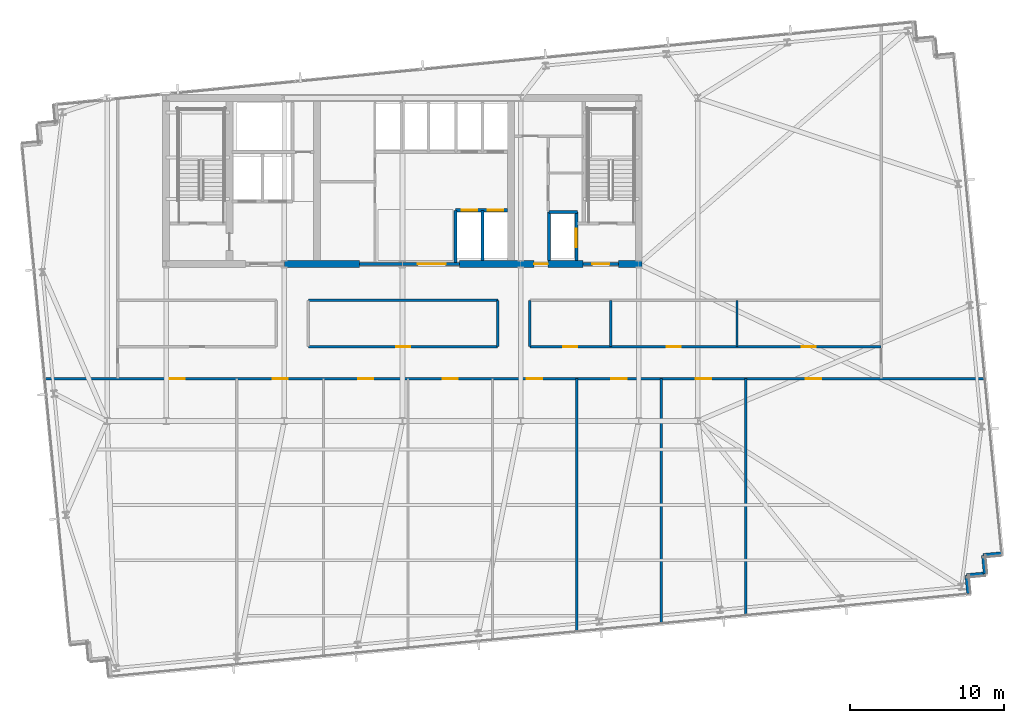
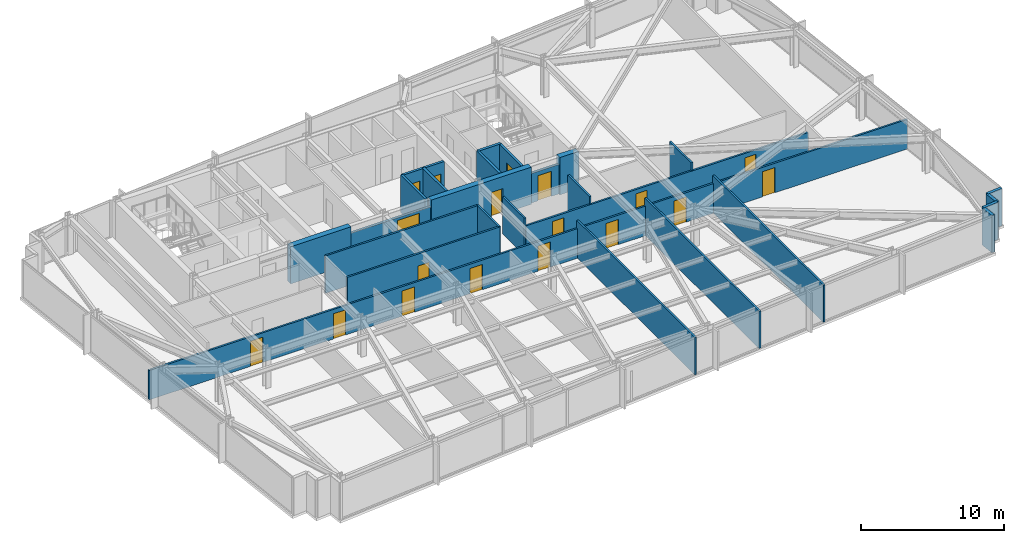
# One storey, part 25 of 32: 26 walls, 18 doors, 18 openings.
"""IFC4 building model written with IfcOpenShell, lengths in metres."""

from ifc_helpers import new_model, si_unit, direction, frame, frame_2d, origin, place, context, subcontext, project, spatial, rectangle, extrude, material, layer, layer_set, type_object, element, fill, save


model = new_model("IFC4")

# Units and contexts
model_context = context("Model", 3, precision=1e-05, world=origin(), true_north=direction((0.0, 1.0)))
body_context = subcontext(model_context, "Body", "Model", "MODEL_VIEW")
ifc_project = project(units=[si_unit("LENGTHUNIT", "METRE"), si_unit("AREAUNIT", "SQUARE_METRE"), si_unit("VOLUMEUNIT", "CUBIC_METRE"), si_unit("PLANEANGLEUNIT", "RADIAN"), si_unit("MASSUNIT", "GRAM", prefix="KILO")], contexts=[model_context])

# Site, building, storey
site_placement = place(None, origin())
site = spatial("IfcSite", under=ifc_project, at=site_placement, CompositionType="ELEMENT")
building_placement = place(site_placement, origin())
building = spatial("IfcBuilding", under=site, at=building_placement, Name="Yelkora Congress Tower", CompositionType="ELEMENT")
storey_placement = place(building_placement, frame((0.0, 0.0, 130.5)))
storey = spatial("IfcBuildingStorey", under=building, at=storey_placement, Name="L35", CompositionType="ELEMENT", Elevation=130.5)

# Wall
ifc_material_1 = material(Name="Concrete C60/75", Category="concrete")
ifc_layer_1 = layer(ifc_material_1, 0.449951171875)
ifc_layer_set_1 = layer_set([ifc_layer_1], Name="Concrete C60/75")
wall_type_1 = type_object("IfcWallType", Name="WALL-CORE-INT-450", PredefinedType="SHEAR", material=ifc_layer_set_1)
wall_1_placement = place(storey_placement, frame((30.719970703125, 35.39990234375, 0.0), z_axis=(0.0, 0.0, 1.0), x_axis=(1.0, 0.0, 0.0)))
element("IfcWall", 1, at=wall_1_placement, inside=storey, type_object=wall_type_1, Name="L35 Rear Core South-Center Shear Pier", PredefinedType="SHEAR", context=body_context, shape_type="SweptSolid", body=[
    extrude(rectangle(XDim=4.880126953125, YDim=0.449951171875, at=frame_2d((2.43994140625, 0.0))), origin(), (0.0, 0.0, 1.0), 3.179931640625),
])

# Wall, opening, door
wall_2_placement = place(storey_placement, frame((42.10009765625, 35.39990234375, 0.0), z_axis=(0.0, 0.0, 1.0), x_axis=(1.0, 0.0, 0.0)))
wall_2 = element("IfcWall", 2, at=wall_2_placement, inside=storey, type_object=wall_type_1, Name="L35 Rear Core South-East Shear Wall A", PredefinedType="SHEAR", context=body_context, shape_type="SweptSolid", body=[
    extrude(rectangle(XDim=8.0498046875, YDim=0.449951171875, at=frame_2d((4.02490234375, 0.0))), origin(), (0.0, 0.0, 1.0), 3.179931640625),
])
opening_1_placement = place(wall_2_placement, frame((4.85009765625, 0.0, 0.0)))
opening_1 = element("IfcOpeningElement", 3, at=opening_1_placement, cuts=wall_2, Name="Opening DR-090F6", PredefinedType="OPENING", context=body_context, shape_type="SweptSolid", body=[
    extrude(rectangle(XDim=0.89990234375, YDim=2.14990234375, at=frame_2d((0.449951171875, 1.074951171875))), frame((0.0, 0.23486328125, 0.0), z_axis=(0.0, -1.0, 0.0), x_axis=(1.0, 0.0, 0.0)), (0.0, 0.0, 1.0), 0.469970703125),
])
ifc_material_2 = material(Name="Painted steel riser fire door leaf", Category="steel")
door_type_1 = type_object("IfcDoorType", Name="DOOR-FD60-900", OperationType="NOTDEFINED", PredefinedType="DOOR", material=ifc_material_2)
door_1_placement = place(opening_1_placement, origin())
door_1 = element("IfcDoor", 4, at=door_1_placement, inside=storey, type_object=door_type_1, Name="L35 Core Washroom Lobby Door", OperationType="SINGLE_SWING_RIGHT", OverallHeight=2.14990234375, OverallWidth=0.89990234375, PredefinedType="DOOR", context=body_context, shape_type="SweptSolid", body=[
    extrude(rectangle(XDim=0.89990234375, YDim=2.14990234375, at=frame_2d((0.449951171875, 1.074951171875))), frame((0.0, 0.02490234375, 0.0), z_axis=(0.0, -1.0, 0.0), x_axis=(1.0, 0.0, 0.0)), (0.0, 0.0, 1.0), 0.050048828125),
])
fill(opening_1, door_1)

# Walls
wall_3_placement = place(storey_placement, frame((52.449951171875, 35.39990234375, 0.0), z_axis=(0.0, 0.0, 1.0), x_axis=(1.0, 0.0, 0.0)))
element("IfcWall", 5, at=wall_3_placement, inside=storey, type_object=wall_type_1, Name="L35 Rear Core South-East Shear Wall B", PredefinedType="SHEAR", context=body_context, shape_type="SweptSolid", body=[
    extrude(rectangle(XDim=1.53515625, YDim=0.449951171875, at=frame_2d((0.767578125, 0.0))), origin(), (0.0, 0.0, 1.0), 3.179931640625),
])
ifc_material_3 = material(Name="Concrete C40/50", Category="concrete")
ifc_layer_2 = layer(ifc_material_3, 0.239990234375)
ifc_layer_set_2 = layer_set([ifc_layer_2], Name="Concrete C40/50")
wall_type_2 = type_object("IfcWallType", Name="WALL-EXT-LIMESTONE-240", PredefinedType="SOLIDWALL", material=ifc_layer_set_2)
wall_4_placement = place(storey_placement, frame((77.34765625, 16.585693359375, 0.0), z_axis=(0.0, 0.0, 1.0), x_axis=(-0.995397091755, -0.095836473879, 0.0)))
element("IfcWall", 6, at=wall_4_placement, inside=storey, type_object=wall_type_2, Name="L35 Serrated Corner Limestone Pier 16", PredefinedType="SOLIDWALL", context=body_context, shape_type="SweptSolid", body=[
    extrude(rectangle(XDim=1.199951171875, YDim=0.239990234375, at=frame_2d((0.60009765625, 0.0))), origin(), (0.0, 0.0, 1.0), 3.179931640625),
])
for number, where, z_axis, x_axis, name in (
    (7, (76.1533203125, 16.470703125, 0.0), (0.0, 0.0, 1.0), (0.095817067274, -0.995398960025, 0.0), "L35 Serrated Corner Limestone Pier 17"),
    (8, (76.268310546875, 15.276123046875, 0.0), (0.0, 0.0, 1.0), (-0.995398960025, -0.095817067274, 0.0), "L35 Serrated Corner Limestone Pier 18"),
):
    element("IfcWall", number, at=place(storey_placement, frame(where, z_axis=z_axis, x_axis=x_axis)), inside=storey, type_object=wall_type_2, Name=name, PredefinedType="SOLIDWALL", context=body_context, shape_type="SweptSolid", body=[
        extrude(rectangle(XDim=1.2001953125, YDim=0.239990234375, at=frame_2d((0.60009765625, 0.0))), origin(), (0.0, 0.0, 1.0), 3.179931640625),
    ])
wall_5_placement = place(storey_placement, frame((75.07373046875, 15.1611328125, 0.0), z_axis=(0.0, 0.0, 1.0), x_axis=(0.095836473879, -0.995397091755, 0.0)))
element("IfcWall", 9, at=wall_5_placement, inside=storey, type_object=wall_type_2, Name="L35 Serrated Corner Limestone Pier 19", PredefinedType="SOLIDWALL", context=body_context, shape_type="SweptSolid", body=[
    extrude(rectangle(XDim=1.199951171875, YDim=0.239990234375, at=frame_2d((0.60009765625, 0.0))), origin(), (0.0, 0.0, 1.0), 3.179931640625),
])
ifc_material_4 = material(Name="Acoustic metal-stud gypsum partition", Category="gypsum")
ifc_layer_3 = layer(ifc_material_4, 0.14990234375)
ifc_layer_set_3 = layer_set([ifc_layer_3], Name="Acoustic metal-stud gypsum partition")
wall_type_3 = type_object("IfcWallType", Name="WALL-INT-150-NR", PredefinedType="PARTITIONING", material=ifc_layer_set_3)
wall_6_placement = place(storey_placement, frame((49.73193359375, 11.455322265625, 0.0), z_axis=(0.0, 0.0, 1.0), x_axis=(0.0, 1.0, 0.0)))
element("IfcWall", 10, at=wall_6_placement, inside=storey, type_object=wall_type_3, Name="L35 Partition Wall 31", PredefinedType="PARTITIONING", context=body_context, shape_type="SweptSolid", body=[
    extrude(rectangle(XDim=16.5146484375, YDim=0.14990234375, at=frame_2d((8.25732421875, 0.0))), origin(), (0.0, 0.0, 1.0), 3.179931640625),
])
wall_7_placement = place(storey_placement, frame((55.218994140625, 11.983642578125, 0.0), z_axis=(0.0, 0.0, 1.0), x_axis=(0.0, 1.0, 0.0)))
element("IfcWall", 11, at=wall_7_placement, inside=storey, type_object=wall_type_3, Name="L35 Partition Wall 32", PredefinedType="PARTITIONING", context=body_context, shape_type="SweptSolid", body=[
    extrude(rectangle(XDim=15.986328125, YDim=0.14990234375, at=frame_2d((7.9931640625, 0.0))), origin(), (0.0, 0.0, 1.0), 3.179931640625),
])
wall_8_placement = place(storey_placement, frame((60.7060546875, 12.511962890625, 0.0), z_axis=(0.0, 0.0, 1.0), x_axis=(0.0, 1.0, 0.0)))
element("IfcWall", 12, at=wall_8_placement, inside=storey, type_object=wall_type_3, Name="L35 Partition Wall 33", PredefinedType="PARTITIONING", context=body_context, shape_type="SweptSolid", body=[
    extrude(rectangle(XDim=15.4580078125, YDim=0.14990234375, at=frame_2d((7.72900390625, 0.0))), origin(), (0.0, 0.0, 1.0), 3.179931640625),
])

# Wall, openings, doors
wall_9_placement = place(storey_placement, frame((15.091796875, 27.949951171875, 0.0), z_axis=(0.0, 0.0, 1.0), x_axis=(1.0, 0.0, 0.0)))
wall_9 = element("IfcWall", 13, at=wall_9_placement, inside=storey, type_object=wall_type_3, Name="L35 South Spine Wall", PredefinedType="PARTITIONING", context=body_context, shape_type="SweptSolid", body=[
    extrude(rectangle(XDim=61.221923828125, YDim=0.14990234375, at=frame_2d((30.61083984375, 0.0))), origin(), (0.0, 0.0, 1.0), 2.52490234375),
])
opening_2_placement = place(wall_9_placement, frame((8.171630859375, 0.0, 0.0)))
opening_2 = element("IfcOpeningElement", 14, at=opening_2_placement, cuts=wall_9, Name="Opening DR-100N", PredefinedType="OPENING", context=body_context, shape_type="SweptSolid", body=[
    extrude(rectangle(XDim=1.0, YDim=2.14990234375, at=frame_2d((0.5, 1.074951171875))), frame((0.0, 0.0849609375, 0.0), z_axis=(0.0, -1.0, 0.0), x_axis=(1.0, 0.0, 0.0)), (0.0, 0.0, 1.0), 0.169921875),
])
opening_3_placement = place(wall_9_placement, frame((14.861572265625, 0.0, 0.0)))
opening_3 = element("IfcOpeningElement", 15, at=opening_3_placement, cuts=wall_9, Name="Opening DR-100N", PredefinedType="OPENING", context=body_context, shape_type="SweptSolid", body=[
    extrude(rectangle(XDim=1.0, YDim=2.14990234375, at=frame_2d((0.5, 1.074951171875))), frame((0.0, 0.0849609375, 0.0), z_axis=(0.0, -1.0, 0.0), x_axis=(1.0, 0.0, 0.0)), (0.0, 0.0, 1.0), 0.169921875),
])
opening_4_placement = place(wall_9_placement, frame((20.423583984375, 0.0, 0.0)))
opening_4 = element("IfcOpeningElement", 16, at=opening_4_placement, cuts=wall_9, Name="Opening DR-100N", PredefinedType="OPENING", context=body_context, shape_type="SweptSolid", body=[
    extrude(rectangle(XDim=1.0, YDim=2.14990234375, at=frame_2d((0.5, 1.074951171875))), frame((0.0, 0.0849609375, 0.0), z_axis=(0.0, -1.0, 0.0), x_axis=(1.0, 0.0, 0.0)), (0.0, 0.0, 1.0), 0.169921875),
])
opening_5_placement = place(wall_9_placement, frame((25.91064453125, 0.0, 0.0)))
opening_5 = element("IfcOpeningElement", 17, at=opening_5_placement, cuts=wall_9, Name="Opening DR-100N", PredefinedType="OPENING", context=body_context, shape_type="SweptSolid", body=[
    extrude(rectangle(XDim=1.0, YDim=2.14990234375, at=frame_2d((0.5, 1.074951171875))), frame((0.0, 0.0849609375, 0.0), z_axis=(0.0, -1.0, 0.0), x_axis=(1.0, 0.0, 0.0)), (0.0, 0.0, 1.0), 0.169921875),
])
opening_6_placement = place(wall_9_placement, frame((31.397216796875, 0.0, 0.0)))
opening_6 = element("IfcOpeningElement", 18, at=opening_6_placement, cuts=wall_9, Name="Opening DR-100N", PredefinedType="OPENING", context=body_context, shape_type="SweptSolid", body=[
    extrude(rectangle(XDim=1.0, YDim=2.14990234375, at=frame_2d((0.5, 1.074951171875))), frame((0.0, 0.0849609375, 0.0), z_axis=(0.0, -1.0, 0.0), x_axis=(1.0, 0.0, 0.0)), (0.0, 0.0, 1.0), 0.169921875),
])
opening_7_placement = place(wall_9_placement, frame((36.883544921875, 0.0, 0.0)))
opening_7 = element("IfcOpeningElement", 19, at=opening_7_placement, cuts=wall_9, Name="Opening DR-100N", PredefinedType="OPENING", context=body_context, shape_type="SweptSolid", body=[
    extrude(rectangle(XDim=1.0, YDim=2.14990234375, at=frame_2d((0.5, 1.074951171875))), frame((0.0, 0.0849609375, 0.0), z_axis=(0.0, -1.0, 0.0), x_axis=(1.0, 0.0, 0.0)), (0.0, 0.0, 1.0), 0.169921875),
])
opening_8_placement = place(wall_9_placement, frame((42.37060546875, 0.0, 0.0)))
opening_8 = element("IfcOpeningElement", 20, at=opening_8_placement, cuts=wall_9, Name="Opening DR-100N", PredefinedType="OPENING", context=body_context, shape_type="SweptSolid", body=[
    extrude(rectangle(XDim=1.0, YDim=2.14990234375, at=frame_2d((0.5, 1.074951171875))), frame((0.0, 0.0849609375, 0.0), z_axis=(0.0, -1.0, 0.0), x_axis=(1.0, 0.0, 0.0)), (0.0, 0.0, 1.0), 0.169921875),
])
opening_9_placement = place(wall_9_placement, frame((49.51806640625, 0.0, 0.0)))
opening_9 = element("IfcOpeningElement", 21, at=opening_9_placement, cuts=wall_9, Name="Opening DR-100N", PredefinedType="OPENING", context=body_context, shape_type="SweptSolid", body=[
    extrude(rectangle(XDim=1.0, YDim=2.14990234375, at=frame_2d((0.5, 1.074951171875))), frame((0.0, 0.0849609375, 0.0), z_axis=(0.0, -1.0, 0.0), x_axis=(1.0, 0.0, 0.0)), (0.0, 0.0, 1.0), 0.169921875),
])
ifc_material_5 = material(Name="Solid-core Anatolian oak veneer door", Category="wood")
door_type_2 = type_object("IfcDoorType", Name="DOOR-INT-1000", OperationType="NOTDEFINED", PredefinedType="DOOR", material=ifc_material_5)
door_2_placement = place(opening_2_placement, origin())
door_2 = element("IfcDoor", 22, at=door_2_placement, inside=storey, type_object=door_type_2, Name="L35 Living & Reading Lounge Door", OperationType="SINGLE_SWING_LEFT", OverallHeight=2.14990234375, OverallWidth=1.0, PredefinedType="DOOR", context=body_context, shape_type="SweptSolid", body=[
    extrude(rectangle(XDim=1.0, YDim=2.14990234375, at=frame_2d((0.5, 1.074951171875))), frame((0.0, 0.02490234375, 0.0), z_axis=(0.0, -1.0, 0.0), x_axis=(1.0, 0.0, 0.0)), (0.0, 0.0, 1.0), 0.050048828125),
])
fill(opening_2, door_2)
door_3_placement = place(opening_3_placement, origin())
door_3 = element("IfcDoor", 23, at=door_3_placement, inside=storey, type_object=door_type_2, Name="L35 Living & Reading Lounge Door", OperationType="SINGLE_SWING_RIGHT", OverallHeight=2.14990234375, OverallWidth=1.0, PredefinedType="DOOR", context=body_context, shape_type="SweptSolid", body=[
    extrude(rectangle(XDim=1.0, YDim=2.14990234375, at=frame_2d((0.5, 1.074951171875))), frame((0.0, 0.02490234375, 0.0), z_axis=(0.0, -1.0, 0.0), x_axis=(1.0, 0.0, 0.0)), (0.0, 0.0, 1.0), 0.050048828125),
])
fill(opening_3, door_3)
door_4_placement = place(opening_4_placement, origin())
door_4 = element("IfcDoor", 24, at=door_4_placement, inside=storey, type_object=door_type_2, Name="L35 Hospitality Kitchen Door", OperationType="SINGLE_SWING_LEFT", OverallHeight=2.14990234375, OverallWidth=1.0, PredefinedType="DOOR", context=body_context, shape_type="SweptSolid", body=[
    extrude(rectangle(XDim=1.0, YDim=2.14990234375, at=frame_2d((0.5, 1.074951171875))), frame((0.0, 0.02490234375, 0.0), z_axis=(0.0, -1.0, 0.0), x_axis=(1.0, 0.0, 0.0)), (0.0, 0.0, 1.0), 0.050048828125),
])
fill(opening_4, door_4)
door_5_placement = place(opening_5_placement, origin())
door_5 = element("IfcDoor", 25, at=door_5_placement, inside=storey, type_object=door_type_2, Name="L35 Executive Office Door", OperationType="SINGLE_SWING_RIGHT", OverallHeight=2.14990234375, OverallWidth=1.0, PredefinedType="DOOR", context=body_context, shape_type="SweptSolid", body=[
    extrude(rectangle(XDim=1.0, YDim=2.14990234375, at=frame_2d((0.5, 1.074951171875))), frame((0.0, 0.02490234375, 0.0), z_axis=(0.0, -1.0, 0.0), x_axis=(1.0, 0.0, 0.0)), (0.0, 0.0, 1.0), 0.050048828125),
])
fill(opening_5, door_5)
door_6_placement = place(opening_6_placement, origin())
door_6 = element("IfcDoor", 26, at=door_6_placement, inside=storey, type_object=door_type_2, Name="L35 Wellness Room Door", OperationType="SINGLE_SWING_LEFT", OverallHeight=2.14990234375, OverallWidth=1.0, PredefinedType="DOOR", context=body_context, shape_type="SweptSolid", body=[
    extrude(rectangle(XDim=1.0, YDim=2.14990234375, at=frame_2d((0.5, 1.074951171875))), frame((0.0, 0.02490234375, 0.0), z_axis=(0.0, -1.0, 0.0), x_axis=(1.0, 0.0, 0.0)), (0.0, 0.0, 1.0), 0.050048828125),
])
fill(opening_6, door_6)
door_7_placement = place(opening_7_placement, origin())
door_7 = element("IfcDoor", 27, at=door_7_placement, inside=storey, type_object=door_type_2, Name="L35 Store Equipment Door", OperationType="SINGLE_SWING_RIGHT", OverallHeight=2.14990234375, OverallWidth=1.0, PredefinedType="DOOR", context=body_context, shape_type="SweptSolid", body=[
    extrude(rectangle(XDim=1.0, YDim=2.14990234375, at=frame_2d((0.5, 1.074951171875))), frame((0.0, 0.02490234375, 0.0), z_axis=(0.0, -1.0, 0.0), x_axis=(1.0, 0.0, 0.0)), (0.0, 0.0, 1.0), 0.050048828125),
])
fill(opening_7, door_7)
door_8_placement = place(opening_8_placement, origin())
door_8 = element("IfcDoor", 28, at=door_8_placement, inside=storey, type_object=door_type_2, Name="L35 Design Studio Office Door", OperationType="SINGLE_SWING_LEFT", OverallHeight=2.14990234375, OverallWidth=1.0, PredefinedType="DOOR", context=body_context, shape_type="SweptSolid", body=[
    extrude(rectangle(XDim=1.0, YDim=2.14990234375, at=frame_2d((0.5, 1.074951171875))), frame((0.0, 0.02490234375, 0.0), z_axis=(0.0, -1.0, 0.0), x_axis=(1.0, 0.0, 0.0)), (0.0, 0.0, 1.0), 0.050048828125),
])
fill(opening_8, door_8)
door_9_placement = place(opening_9_placement, origin())
door_9 = element("IfcDoor", 29, at=door_9_placement, inside=storey, type_object=door_type_2, Name="L35 Conference Hall Door", OperationType="SINGLE_SWING_RIGHT", OverallHeight=2.14990234375, OverallWidth=1.0, PredefinedType="DOOR", context=body_context, shape_type="SweptSolid", body=[
    extrude(rectangle(XDim=1.0, YDim=2.14990234375, at=frame_2d((0.5, 1.074951171875))), frame((0.0, 0.02490234375, 0.0), z_axis=(0.0, -1.0, 0.0), x_axis=(1.0, 0.0, 0.0)), (0.0, 0.0, 1.0), 0.050048828125),
])
fill(opening_9, door_9)

# Walls
for number, where, z_axis, x_axis, name in (
    (30, (44.60009765625, 30.030029296875, 0.0), (0.0, 0.0, 1.0), (0.0, 1.0, 0.0), "L35 Partition Wall 39"),
    (31, (46.679931640625, 30.030029296875, 0.0), (0.0, 0.0, 1.0), (0.0, 1.0, 0.0), "L35 Partition Wall 40"),
):
    element("IfcWall", number, at=place(storey_placement, frame(where, z_axis=z_axis, x_axis=x_axis)), inside=storey, type_object=wall_type_3, Name=name, PredefinedType="PARTITIONING", context=body_context, shape_type="SweptSolid", body=[
        extrude(rectangle(XDim=3.02001953125, YDim=0.14990234375, at=frame_2d((1.510009765625, 0.0))), origin(), (0.0, 0.0, 1.0), 3.179931640625),
    ])
wall_10_placement = place(storey_placement, frame((32.280029296875, 33.050048828125, 0.0), z_axis=(0.0, 0.0, 1.0), x_axis=(1.0, 0.0, 0.0)))
element("IfcWall", 32, at=wall_10_placement, inside=storey, type_object=wall_type_3, Name="L35 Partition Wall 42", PredefinedType="PARTITIONING", context=body_context, shape_type="SweptSolid", body=[
    extrude(rectangle(XDim=12.320068359375, YDim=0.14990234375, at=frame_2d((6.16015625, 0.0))), origin(), (0.0, 0.0, 1.0), 3.179931640625),
])

# Wall, opening, door
wall_11_placement = place(storey_placement, frame((32.2900390625, 30.030029296875, 0.0), z_axis=(0.0, 0.0, 1.0), x_axis=(1.0, 0.0, 0.0)))
wall_11 = element("IfcWall", 33, at=wall_11_placement, inside=storey, type_object=wall_type_3, Name="L35 Partition Wall 45", PredefinedType="PARTITIONING", context=body_context, shape_type="SweptSolid", body=[
    extrude(rectangle(XDim=12.300048828125, YDim=0.14990234375, at=frame_2d((6.14990234375, 0.0))), origin(), (0.0, 0.0, 1.0), 3.179931640625),
])
opening_10_placement = place(wall_11_placement, frame((5.699951171875, 0.0, 0.0)))
opening_10 = element("IfcOpeningElement", 34, at=opening_10_placement, cuts=wall_11, Name="Opening DR-090N", PredefinedType="OPENING", context=body_context, shape_type="SweptSolid", body=[
    extrude(rectangle(XDim=0.89990234375, YDim=2.14990234375, at=frame_2d((0.449951171875, 1.074951171875))), frame((0.0, 0.0849609375, 0.0), z_axis=(0.0, -1.0, 0.0), x_axis=(1.0, 0.0, 0.0)), (0.0, 0.0, 1.0), 0.169921875),
])
ifc_material_6 = material(Name="Moisture-resistant laminate door leaf", Category="wood")
door_type_3 = type_object("IfcDoorType", Name="DOOR-INT-900", OperationType="NOTDEFINED", PredefinedType="DOOR", material=ifc_material_6)
door_10_placement = place(opening_10_placement, origin())
door_10 = element("IfcDoor", 35, at=door_10_placement, inside=storey, type_object=door_type_3, Name="L35 VIP Atrium Foyer Door", OperationType="SINGLE_SWING_RIGHT", OverallHeight=2.14990234375, OverallWidth=0.89990234375, PredefinedType="DOOR", context=body_context, shape_type="SweptSolid", body=[
    extrude(rectangle(XDim=0.89990234375, YDim=2.14990234375, at=frame_2d((0.449951171875, 1.074951171875))), frame((0.0, 0.02490234375, 0.0), z_axis=(0.0, -1.0, 0.0), x_axis=(1.0, 0.0, 0.0)), (0.0, 0.0, 1.0), 0.050048828125),
])
fill(opening_10, door_10)

# Walls
for number, where, z_axis, x_axis, name in (
    (36, (51.93505859375, 30.030029296875, 0.0), (0.0, 0.0, 1.0), (0.0, 1.0, 0.0), "L35 Partition Wall 46"),
    (37, (60.14404296875, 30.030029296875, 0.0), (0.0, 0.0, 1.0), (0.0, 1.0, 0.0), "L35 Partition Wall 47"),
):
    element("IfcWall", number, at=place(storey_placement, frame(where, z_axis=z_axis, x_axis=x_axis)), inside=storey, type_object=wall_type_3, Name=name, PredefinedType="PARTITIONING", context=body_context, shape_type="SweptSolid", body=[
        extrude(rectangle(XDim=3.02001953125, YDim=0.14990234375, at=frame_2d((1.510009765625, 0.0))), origin(), (0.0, 0.0, 1.0), 3.179931640625),
    ])

# Wall, openings, doors
wall_12_placement = place(storey_placement, frame((46.68994140625, 30.030029296875, 0.0), z_axis=(0.0, 0.0, 1.0), x_axis=(1.0, 0.0, 0.0)))
wall_12 = element("IfcWall", 38, at=wall_12_placement, inside=storey, type_object=wall_type_3, Name="L35 Partition Wall 48", PredefinedType="PARTITIONING", context=body_context, shape_type="SweptSolid", body=[
    extrude(rectangle(XDim=22.803955078125, YDim=0.14990234375, at=frame_2d((11.40185546875, 0.0))), origin(), (0.0, 0.0, 1.0), 2.52490234375),
])
opening_11_placement = place(wall_12_placement, frame((2.172607421875, 0.0, 0.0)))
opening_11 = element("IfcOpeningElement", 39, at=opening_11_placement, cuts=wall_12, Name="Opening DR-090N", PredefinedType="OPENING", context=body_context, shape_type="SweptSolid", body=[
    extrude(rectangle(XDim=0.89990234375, YDim=2.14990234375, at=frame_2d((0.449951171875, 1.074951171875))), frame((0.0, 0.0849609375, 0.0), z_axis=(0.0, -1.0, 0.0), x_axis=(1.0, 0.0, 0.0)), (0.0, 0.0, 1.0), 0.169921875),
])
opening_12_placement = place(wall_12_placement, frame((8.8994140625, 0.0, 0.0)))
opening_12 = element("IfcOpeningElement", 40, at=opening_12_placement, cuts=wall_12, Name="Opening DR-090N", PredefinedType="OPENING", context=body_context, shape_type="SweptSolid", body=[
    extrude(rectangle(XDim=0.89990234375, YDim=2.14990234375, at=frame_2d((0.449951171875, 1.074951171875))), frame((0.0, 0.0849609375, 0.0), z_axis=(0.0, -1.0, 0.0), x_axis=(1.0, 0.0, 0.0)), (0.0, 0.0, 1.0), 0.169921875),
])
opening_13_placement = place(wall_12_placement, frame((17.678955078125, 0.0, 0.0)))
opening_13 = element("IfcOpeningElement", 41, at=opening_13_placement, cuts=wall_12, Name="Opening DR-090N", PredefinedType="OPENING", context=body_context, shape_type="SweptSolid", body=[
    extrude(rectangle(XDim=0.89990234375, YDim=2.14990234375, at=frame_2d((0.449951171875, 1.074951171875))), frame((0.0, 0.0849609375, 0.0), z_axis=(0.0, -1.0, 0.0), x_axis=(1.0, 0.0, 0.0)), (0.0, 0.0, 1.0), 0.169921875),
])
door_11_placement = place(opening_11_placement, origin())
door_11 = element("IfcDoor", 42, at=door_11_placement, inside=storey, type_object=door_type_3, Name="L35 Reading Library Door", OperationType="SINGLE_SWING_LEFT", OverallHeight=2.14990234375, OverallWidth=0.89990234375, PredefinedType="DOOR", context=body_context, shape_type="SweptSolid", body=[
    extrude(rectangle(XDim=0.89990234375, YDim=2.14990234375, at=frame_2d((0.449951171875, 1.074951171875))), frame((0.0, 0.02490234375, 0.0), z_axis=(0.0, -1.0, 0.0), x_axis=(1.0, 0.0, 0.0)), (0.0, 0.0, 1.0), 0.050048828125),
])
fill(opening_11, door_11)
door_12_placement = place(opening_12_placement, origin())
door_12 = element("IfcDoor", 43, at=door_12_placement, inside=storey, type_object=door_type_3, Name="L35 Executive Club Bar Door", OperationType="SINGLE_SWING_RIGHT", OverallHeight=2.14990234375, OverallWidth=0.89990234375, PredefinedType="DOOR", context=body_context, shape_type="SweptSolid", body=[
    extrude(rectangle(XDim=0.89990234375, YDim=2.14990234375, at=frame_2d((0.449951171875, 1.074951171875))), frame((0.0, 0.02490234375, 0.0), z_axis=(0.0, -1.0, 0.0), x_axis=(1.0, 0.0, 0.0)), (0.0, 0.0, 1.0), 0.050048828125),
])
fill(opening_12, door_12)
door_13_placement = place(opening_13_placement, origin())
door_13 = element("IfcDoor", 44, at=door_13_placement, inside=storey, type_object=door_type_3, Name="L35 VIP Atrium Foyer Door", OperationType="SINGLE_SWING_LEFT", OverallHeight=2.14990234375, OverallWidth=0.89990234375, PredefinedType="DOOR", context=body_context, shape_type="SweptSolid", body=[
    extrude(rectangle(XDim=0.89990234375, YDim=2.14990234375, at=frame_2d((0.449951171875, 1.074951171875))), frame((0.0, 0.02490234375, 0.0), z_axis=(0.0, -1.0, 0.0), x_axis=(1.0, 0.0, 0.0)), (0.0, 0.0, 1.0), 0.050048828125),
])
fill(opening_13, door_13)

# Wall, opening, door
ifc_material_7 = material(Name="Autoclaved aerated concrete blockwork", Category="masonry")
ifc_layer_4 = layer(ifc_material_7, 0.199951171875)
ifc_layer_set_4 = layer_set([ifc_layer_4], Name="Autoclaved aerated concrete blockwork")
wall_type_4 = type_object("IfcWallType", Name="WALL-INT-200-R120", PredefinedType="PARTITIONING", material=ifc_layer_set_4)
wall_13_placement = place(storey_placement, frame((35.60009765625, 35.39990234375, 0.0), z_axis=(0.0, 0.0, 1.0), x_axis=(1.0, 0.0, 0.0)))
wall_13 = element("IfcWall", 45, at=wall_13_placement, inside=storey, type_object=wall_type_4, Name="L35 Main Lift Lobby South Portal Wall", PredefinedType="PARTITIONING", context=body_context, shape_type="SweptSolid", body=[
    extrude(rectangle(XDim=6.5, YDim=0.199951171875, at=frame_2d((3.25, 0.0))), origin(), (0.0, 0.0, 1.0), 2.52490234375),
])
opening_14_placement = place(wall_13_placement, frame((3.800048828125, 0.0, 0.0)))
opening_14 = element("IfcOpeningElement", 46, at=opening_14_placement, cuts=wall_13, Name="Opening DR-180D", PredefinedType="OPENING", context=body_context, shape_type="SweptSolid", body=[
    extrude(rectangle(XDim=1.800048828125, YDim=2.300048828125, at=frame_2d((0.89990234375, 1.14990234375))), frame((0.0, 0.10986328125, 0.0), z_axis=(0.0, -1.0, 0.0), x_axis=(1.0, 0.0, 0.0)), (0.0, 0.0, 1.0), 0.219970703125),
])
ifc_material_8 = material(Name="Acoustic double congress hall doors", Category="wood")
door_type_4 = type_object("IfcDoorType", Name="DOOR-DBL-1800", OperationType="DOUBLE_DOOR_SINGLE_SWING", PredefinedType="DOOR", material=ifc_material_8)
door_14_placement = place(opening_14_placement, origin())
door_14 = element("IfcDoor", 47, at=door_14_placement, inside=storey, type_object=door_type_4, Name="L35 Main Lift Lobby Portal Door", OperationType="DOUBLE_DOOR_SINGLE_SWING", OverallHeight=2.300048828125, OverallWidth=1.800048828125, PredefinedType="DOOR", context=body_context, shape_type="SweptSolid", body=[
    extrude(rectangle(XDim=1.800048828125, YDim=2.300048828125, at=frame_2d((0.89990234375, 1.14990234375))), frame((0.0, 0.02490234375, 0.0), z_axis=(0.0, -1.0, 0.0), x_axis=(1.0, 0.0, 0.0)), (0.0, 0.0, 1.0), 0.050048828125),
])
fill(opening_14, door_14)

# Wall, openings, doors
wall_14_placement = place(storey_placement, frame((41.85009765625, 38.89990234375, 0.0), z_axis=(0.0, 0.0, 1.0), x_axis=(1.0, 0.0, 0.0)))
wall_14 = element("IfcWall", 48, at=wall_14_placement, inside=storey, type_object=wall_type_4, Name="L35 Partition Wall 13", PredefinedType="PARTITIONING", context=body_context, shape_type="SweptSolid", body=[
    extrude(rectangle(XDim=3.369873046875, YDim=0.199951171875, at=frame_2d((1.68505859375, 0.0))), origin(), (0.0, 0.0, 1.0), 3.179931640625),
])
opening_15_placement = place(wall_14_placement, frame((0.39990234375, 0.0, 0.0)))
opening_15 = element("IfcOpeningElement", 49, at=opening_15_placement, cuts=wall_14, Name="Opening LD-PS10", PredefinedType="OPENING", context=body_context, shape_type="SweptSolid", body=[
    extrude(rectangle(XDim=1.0, YDim=2.199951171875, at=frame_2d((0.5, 1.10009765625))), frame((0.0, 0.10986328125, 0.0), z_axis=(0.0, -1.0, 0.0), x_axis=(1.0, 0.0, 0.0)), (0.0, 0.0, 1.0), 0.219970703125),
])
opening_16_placement = place(wall_14_placement, frame((2.10009765625, 0.0, 0.0)))
opening_16 = element("IfcOpeningElement", 50, at=opening_16_placement, cuts=wall_14, Name="Opening LD-PS10", PredefinedType="OPENING", context=body_context, shape_type="SweptSolid", body=[
    extrude(rectangle(XDim=1.0, YDim=2.199951171875, at=frame_2d((0.5, 1.10009765625))), frame((0.0, 0.10986328125, 0.0), z_axis=(0.0, -1.0, 0.0), x_axis=(1.0, 0.0, 0.0)), (0.0, 0.0, 1.0), 0.219970703125),
])
ifc_material_9 = material(Name="Champagne stainless steel landing door", Category="steel")
door_type_5 = type_object("IfcDoorType", Name="DOOR-LIFT-PAS-1000", OperationType="DOUBLE_DOOR_SLIDING", PredefinedType="DOOR", material=ifc_material_9)
door_15_placement = place(opening_15_placement, origin())
door_15 = element("IfcDoor", 51, at=door_15_placement, inside=storey, type_object=door_type_5, Name="Lift Landing Door LF-P5 L35", OperationType="DOUBLE_DOOR_SLIDING", OverallHeight=2.199951171875, OverallWidth=1.0, PredefinedType="DOOR", context=body_context, shape_type="SweptSolid", body=[
    extrude(rectangle(XDim=1.0, YDim=2.199951171875, at=frame_2d((0.5, 1.10009765625))), frame((0.0, 0.02490234375, 0.0), z_axis=(0.0, -1.0, 0.0), x_axis=(1.0, 0.0, 0.0)), (0.0, 0.0, 1.0), 0.050048828125),
])
fill(opening_15, door_15)
door_16_placement = place(opening_16_placement, origin())
door_16 = element("IfcDoor", 52, at=door_16_placement, inside=storey, type_object=door_type_5, Name="Lift Landing Door LF-P6 L35", OperationType="DOUBLE_DOOR_SLIDING", OverallHeight=2.199951171875, OverallWidth=1.0, PredefinedType="DOOR", context=body_context, shape_type="SweptSolid", body=[
    extrude(rectangle(XDim=1.0, YDim=2.199951171875, at=frame_2d((0.5, 1.10009765625))), frame((0.0, 0.02490234375, 0.0), z_axis=(0.0, -1.0, 0.0), x_axis=(1.0, 0.0, 0.0)), (0.0, 0.0, 1.0), 0.050048828125),
])
fill(opening_16, door_16)

# Walls
wall_15_placement = place(storey_placement, frame((43.60009765625, 35.64990234375, 0.0), z_axis=(0.0, 0.0, 1.0), x_axis=(0.0, 1.0, 0.0)))
element("IfcWall", 53, at=wall_15_placement, inside=storey, type_object=wall_type_4, Name="L35 Partition Wall 15", PredefinedType="PARTITIONING", context=body_context, shape_type="SweptSolid", body=[
    extrude(rectangle(XDim=3.25, YDim=0.199951171875, at=frame_2d((1.625, 0.0))), origin(), (0.0, 0.0, 1.0), 3.179931640625),
])
wall_16_placement = place(storey_placement, frame((41.85009765625, 35.5, 0.0), z_axis=(0.0, 0.0, 1.0), x_axis=(0.0, 1.0, 0.0)))
element("IfcWall", 54, at=wall_16_placement, inside=storey, type_object=wall_type_4, Name="L35 Partition Wall 17", PredefinedType="PARTITIONING", context=body_context, shape_type="SweptSolid", body=[
    extrude(rectangle(XDim=3.39990234375, YDim=0.199951171875, at=frame_2d((1.699951171875, 0.0))), origin(), (0.0, 0.0, 1.0), 3.179931640625),
])

# Wall, opening, door
wall_17_placement = place(storey_placement, frame((50.14990234375, 35.39990234375, 0.0), z_axis=(0.0, 0.0, 1.0), x_axis=(1.0, 0.0, 0.0)))
wall_17 = element("IfcWall", 55, at=wall_17_placement, inside=storey, type_object=wall_type_4, Name="L35 Partition Wall 20", PredefinedType="PARTITIONING", context=body_context, shape_type="SweptSolid", body=[
    extrude(rectangle(XDim=2.300048828125, YDim=0.199951171875, at=frame_2d((1.14990234375, 0.0))), origin(), (0.0, 0.0, 1.0), 2.52490234375),
])
opening_17_placement = place(wall_17_placement, frame((0.60009765625, 0.0, 0.0)))
opening_17 = element("IfcOpeningElement", 56, at=opening_17_placement, cuts=wall_17, Name="Opening DR-110F9", PredefinedType="OPENING", context=body_context, shape_type="SweptSolid", body=[
    extrude(rectangle(XDim=1.10009765625, YDim=2.14990234375, at=frame_2d((0.550048828125, 1.074951171875))), frame((0.0, 0.10986328125, 0.0), z_axis=(0.0, -1.0, 0.0), x_axis=(1.0, 0.0, 0.0)), (0.0, 0.0, 1.0), 0.219970703125),
])
ifc_material_10 = material(Name="Galvanised steel fire door leaf", Category="steel")
door_type_6 = type_object("IfcDoorType", Name="DOOR-FD90-1100", OperationType="NOTDEFINED", PredefinedType="DOOR", material=ifc_material_10)
door_17_placement = place(opening_17_placement, origin())
door_17 = element("IfcDoor", 57, at=door_17_placement, inside=storey, type_object=door_type_6, Name="L35 East Stair Lobby Door", OperationType="SINGLE_SWING_RIGHT", OverallHeight=2.14990234375, OverallWidth=1.10009765625, PredefinedType="DOOR", context=body_context, shape_type="SweptSolid", body=[
    extrude(rectangle(XDim=1.10009765625, YDim=2.14990234375, at=frame_2d((0.550048828125, 1.074951171875))), frame((0.0, 0.02490234375, 0.0), z_axis=(0.0, -1.0, 0.0), x_axis=(1.0, 0.0, 0.0)), (0.0, 0.0, 1.0), 0.050048828125),
])
fill(opening_17, door_17)

wall_18_placement = place(storey_placement, frame((49.699951171875, 35.64990234375, 0.0), z_axis=(0.0, 0.0, 1.0), x_axis=(0.0, 1.0, 0.0)))
wall_18 = element("IfcWall", 58, at=wall_18_placement, inside=storey, type_object=wall_type_4, Name="L35 Partition Wall 21", PredefinedType="PARTITIONING", context=body_context, shape_type="SweptSolid", body=[
    extrude(rectangle(XDim=3.150146484375, YDim=0.199951171875, at=frame_2d((1.5751953125, 0.0))), origin(), (0.0, 0.0, 1.0), 3.179931640625),
])
opening_18_placement = place(wall_18_placement, frame((0.85009765625, 0.0, 0.0)))
opening_18 = element("IfcOpeningElement", 59, at=opening_18_placement, cuts=wall_18, Name="Opening LD-SV12", PredefinedType="OPENING", context=body_context, shape_type="SweptSolid", body=[
    extrude(rectangle(XDim=1.199951171875, YDim=2.199951171875, at=frame_2d((0.60009765625, 1.10009765625))), frame((0.0, 0.10986328125, 0.0), z_axis=(0.0, -1.0, 0.0), x_axis=(1.0, 0.0, 0.0)), (0.0, 0.0, 1.0), 0.219970703125),
])
ifc_material_11 = material(Name="Heavy-duty stainless steel landing door", Category="steel")
door_type_7 = type_object("IfcDoorType", Name="DOOR-LIFT-SRV-1200", OperationType="DOUBLE_DOOR_SLIDING", PredefinedType="DOOR", material=ifc_material_11)
door_18_placement = place(opening_18_placement, origin())
door_18 = element("IfcDoor", 60, at=door_18_placement, inside=storey, type_object=door_type_7, Name="Service Lift Landing Door LF-SV1 L35", OperationType="DOUBLE_DOOR_SLIDING", OverallHeight=2.199951171875, OverallWidth=1.199951171875, PredefinedType="DOOR", context=body_context, shape_type="SweptSolid", body=[
    extrude(rectangle(XDim=1.199951171875, YDim=2.199951171875, at=frame_2d((0.60009765625, 1.10009765625))), frame((0.0, 0.02490234375, 0.0), z_axis=(0.0, -1.0, 0.0), x_axis=(1.0, 0.0, 0.0)), (0.0, 0.0, 1.0), 0.050048828125),
])
fill(opening_18, door_18)

# Walls
wall_19_placement = place(storey_placement, frame((47.919921875, 35.64990234375, 0.0), z_axis=(0.0, 0.0, 1.0), x_axis=(0.0, 1.0, 0.0)))
element("IfcWall", 61, at=wall_19_placement, inside=storey, type_object=wall_type_4, Name="L35 Partition Wall 22", PredefinedType="PARTITIONING", context=body_context, shape_type="SweptSolid", body=[
    extrude(rectangle(XDim=3.150146484375, YDim=0.199951171875, at=frame_2d((1.5751953125, 0.0))), origin(), (0.0, 0.0, 1.0), 3.179931640625),
])
wall_20_placement = place(storey_placement, frame((47.919921875, 38.800048828125, 0.0), z_axis=(0.0, 0.0, 1.0), x_axis=(1.0, 0.0, 0.0)))
element("IfcWall", 62, at=wall_20_placement, inside=storey, type_object=wall_type_4, Name="L35 Partition Wall 23", PredefinedType="PARTITIONING", context=body_context, shape_type="SweptSolid", body=[
    extrude(rectangle(XDim=1.860107421875, YDim=0.199951171875, at=frame_2d((0.93017578125, 0.0))), origin(), (0.0, 0.0, 1.0), 3.179931640625),
])

save(model, "model.ifc")
